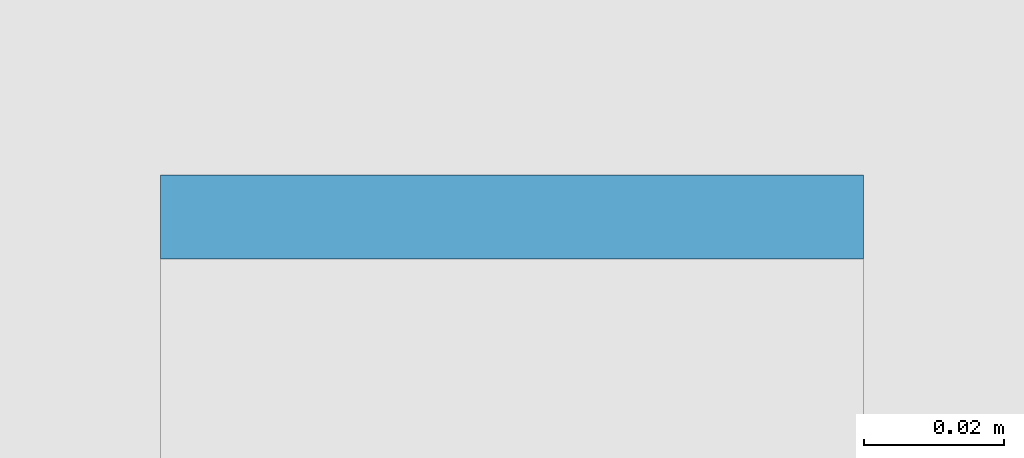
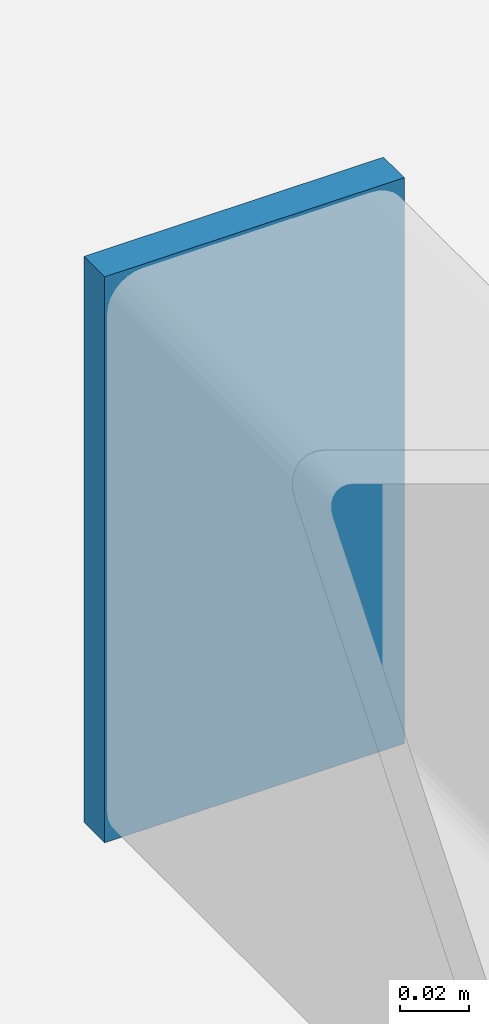
# One storey, part 16 of 18: 1 discrete accessory.
"""IFC4 building model written with IfcOpenShell, lengths in metres."""

from ifc_helpers import new_model, si_unit, direction, frame, origin, origin_2d, place, context, subcontext, project, spatial, rectangle, extrude, material, type_object, element, save


model = new_model("IFC4")

# Units and contexts
model_context = context("Model", 3, precision=1e-05, world=origin(), true_north=direction((0.0, 1.0)))
body_context = subcontext(model_context, "Body", "Model", "MODEL_VIEW")
ifc_project = project(units=[si_unit("LENGTHUNIT", "METRE"), si_unit("AREAUNIT", "SQUARE_METRE"), si_unit("VOLUMEUNIT", "CUBIC_METRE"), si_unit("PLANEANGLEUNIT", "RADIAN"), si_unit("MASSUNIT", "GRAM", prefix="KILO")], contexts=[model_context])

# Site, building, storey
site_placement = place(None, origin())
site = spatial("IfcSite", under=ifc_project, at=site_placement, CompositionType="ELEMENT")
building_placement = place(site_placement, origin())
building = spatial("IfcBuilding", under=site, at=building_placement, Name="Taillehof Tower", CompositionType="ELEMENT")
storey_placement = place(building_placement, frame((0.0, 0.0, -10.39990234375)))
storey = spatial("IfcBuildingStorey", under=building, at=storey_placement, Name="B2", CompositionType="ELEMENT", Elevation=-10.39990234375)

# Discrete accessory
ifc_material = material(Name="Steel S460M", Category="steel")
discrete_accessory_type = type_object("IfcDiscreteAccessoryType", Name="Steel gusset plate", PredefinedType="BRACKET", material=ifc_material)
discrete_accessory_placement = place(storey_placement, frame((-22.60009765625, 3.85595703125, -0.501953125), z_axis=(0.0, 0.0, 1.0), x_axis=(1.0, 0.0, 0.0)))
element("IfcDiscreteAccessory", 1, at=discrete_accessory_placement, inside=storey, type_object=discrete_accessory_type, Name="North track buffer stop end plate 2", PredefinedType="BRACKET", context=body_context, shape_type="SweptSolid", body=[
    extrude(rectangle(XDim=0.10009765625, YDim=0.011962890625, at=origin_2d()), origin(), (0.0, 0.0, 1.0), 0.199951171875),
])

save(model, "model.ifc")
